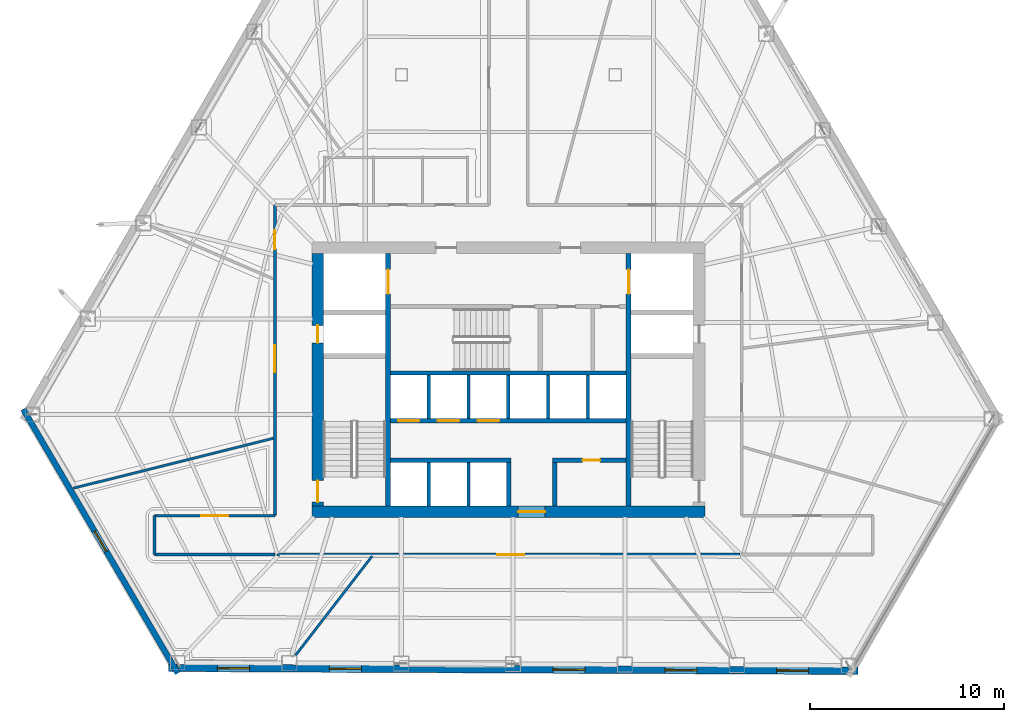
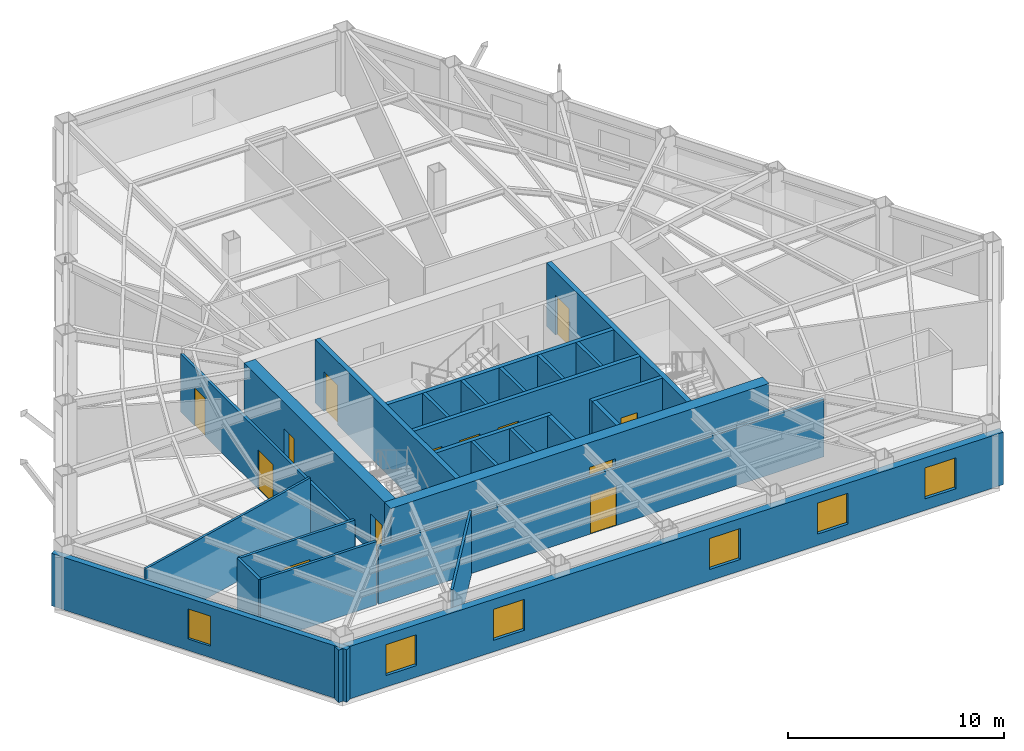
# One storey, part 9 of 14: 26 walls, 13 doors, 6 windows, 19 openings.
"""IFC4 building model written with IfcOpenShell, lengths in metres."""

from ifc_helpers import new_model, si_unit, direction, frame, frame_2d, origin, place, context, subcontext, project, spatial, rectangle, extrude, material, layer, layer_set, type_object, element, fill, save


model = new_model("IFC4")

# Units and contexts
model_context = context("Model", 3, precision=1e-05, world=origin(), true_north=direction((0.0, 1.0)))
body_context = subcontext(model_context, "Body", "Model", "MODEL_VIEW")
ifc_project = project(units=[si_unit("LENGTHUNIT", "METRE"), si_unit("AREAUNIT", "SQUARE_METRE"), si_unit("VOLUMEUNIT", "CUBIC_METRE"), si_unit("PLANEANGLEUNIT", "RADIAN"), si_unit("MASSUNIT", "GRAM", prefix="KILO")], contexts=[model_context])

# Site, building, storey
site_placement = place(None, origin())
site = spatial("IfcSite", under=ifc_project, at=site_placement, CompositionType="ELEMENT")
building_placement = place(site_placement, origin())
building = spatial("IfcBuilding", under=site, at=building_placement, Name="Kavelnor Concourse Tower", CompositionType="ELEMENT")
storey_placement = place(building_placement, frame((0.0, 0.0, 52.199951171875)))
storey = spatial("IfcBuildingStorey", under=building, at=storey_placement, Name="L13", CompositionType="ELEMENT", Elevation=52.199951171875)

# Wall, opening, door
ifc_material_1 = material(Name="Concrete C60/75", Category="concrete")
ifc_layer_1 = layer(ifc_material_1, 0.60009765625, Name="Concrete C60/75")
ifc_layer_set_1 = layer_set([ifc_layer_1], Name="Concrete C60/75")
wall_type_1 = type_object("IfcWallType", Name="WL-CORE-Z1-600", PredefinedType="SOLIDWALL", material=ifc_layer_set_1)
wall_1_placement = place(storey_placement, frame((27.8798828125, 9.300048828125, 0.0), z_axis=(0.0, 0.0, 1.0), x_axis=(1.0, 0.0, 0.0)))
wall_1 = element("IfcWall", 1, at=wall_1_placement, inside=storey, type_object=wall_type_1, Name="L13 Central Core South Shear Wall", PredefinedType="SOLIDWALL", context=body_context, shape_type="SweptSolid", body=[
    extrude(rectangle(XDim=20.240234375, YDim=0.60009765625, at=frame_2d((10.1201171875, 0.0))), origin(), (0.0, 0.0, 1.0), 3.590087890625),
])
opening_1_placement = place(wall_1_placement, frame((10.6201171875, 0.0, 0.0)))
opening_1 = element("IfcOpeningElement", 2, at=opening_1_placement, cuts=wall_1, Name="Opening SD-140", PredefinedType="OPENING", context=body_context, shape_type="SweptSolid", body=[
    extrude(rectangle(XDim=1.39990234375, YDim=2.199951171875, at=frame_2d((0.699951171875, 1.10009765625))), frame((0.0, 0.31005859375, 0.0), z_axis=(0.0, -1.0, 0.0), x_axis=(1.0, 0.0, 0.0)), (0.0, 0.0, 1.0), 0.6201171875),
])
ifc_material_2 = material(Name="Solid-core hardwood timber", Category="wood")
door_type_1 = type_object("IfcDoorType", Name="DR-SUITE-ENTRY-1400", OperationType="NOTDEFINED", PredefinedType="DOOR", material=ifc_material_2)
door_1_placement = place(opening_1_placement, origin())
door_1 = element("IfcDoor", 3, at=door_1_placement, inside=storey, type_object=door_type_1, Name="L13 Passenger Lift Lobby Entry Door", OperationType="SINGLE_SWING_RIGHT", OverallHeight=2.199951171875, OverallWidth=1.39990234375, PredefinedType="DOOR", context=body_context, shape_type="SweptSolid", body=[
    extrude(rectangle(XDim=1.39990234375, YDim=2.199951171875, at=frame_2d((0.699951171875, 1.10009765625))), frame((0.0, 0.02490234375, 0.0), z_axis=(0.0, -1.0, 0.0), x_axis=(1.0, 0.0, 0.0)), (0.0, 0.0, 1.0), 0.050048828125),
])
fill(opening_1, door_1)

# Wall, openings, doors
wall_2_placement = place(storey_placement, frame((28.179931640625, 9.60009765625, 0.0), z_axis=(0.0, 0.0, 1.0), x_axis=(0.0, 1.0, 0.0)))
wall_2 = element("IfcWall", 4, at=wall_2_placement, inside=storey, type_object=wall_type_1, Name="L13 Central Core West Shear Wall", PredefinedType="SOLIDWALL", context=body_context, shape_type="SweptSolid", body=[
    extrude(rectangle(XDim=13.0, YDim=0.60009765625, at=frame_2d((6.5, 0.0))), origin(), (0.0, 0.0, 1.0), 3.590087890625),
])
opening_2_placement = place(wall_2_placement, frame((0.199951171875, 0.0, 0.0)))
opening_2 = element("IfcOpeningElement", 5, at=opening_2_placement, cuts=wall_2, Name="Opening FD-110", PredefinedType="OPENING", context=body_context, shape_type="SweptSolid", body=[
    extrude(rectangle(XDim=1.10009765625, YDim=2.14990234375, at=frame_2d((0.550048828125, 1.074951171875))), frame((0.0, 0.31005859375, 0.0), z_axis=(0.0, -1.0, 0.0), x_axis=(1.0, 0.0, 0.0)), (0.0, 0.0, 1.0), 0.6201171875),
])
opening_3_placement = place(wall_2_placement, frame((8.39990234375, 0.0, 0.0)))
opening_3 = element("IfcOpeningElement", 6, at=opening_3_placement, cuts=wall_2, Name="Opening FD-090", PredefinedType="OPENING", context=body_context, shape_type="SweptSolid", body=[
    extrude(rectangle(XDim=0.89990234375, YDim=2.10009765625, at=frame_2d((0.449951171875, 1.050048828125))), frame((0.0, 0.31005859375, 0.0), z_axis=(0.0, -1.0, 0.0), x_axis=(1.0, 0.0, 0.0)), (0.0, 0.0, 1.0), 0.6201171875),
])
ifc_material_3 = material(Name="Steel Grade 350", Category="steel")
door_type_2 = type_object("IfcDoorType", Name="DR-RISER-FIRE-900", OperationType="NOTDEFINED", PredefinedType="DOOR", material=ifc_material_3)
door_2_placement = place(opening_3_placement, origin())
door_2 = element("IfcDoor", 7, at=door_2_placement, inside=storey, type_object=door_type_2, Name="L13 West Riser Access Door", OperationType="SINGLE_SWING_RIGHT", OverallHeight=2.10009765625, OverallWidth=0.89990234375, PredefinedType="DOOR", context=body_context, shape_type="SweptSolid", body=[
    extrude(rectangle(XDim=0.89990234375, YDim=2.10009765625, at=frame_2d((0.449951171875, 1.050048828125))), frame((0.0, 0.02490234375, 0.0), z_axis=(0.0, -1.0, 0.0), x_axis=(1.0, 0.0, 0.0)), (0.0, 0.0, 1.0), 0.050048828125),
])
fill(opening_3, door_2)
door_type_3 = type_object("IfcDoorType", Name="DR-STAIR-FIRE-1100", OperationType="NOTDEFINED", PredefinedType="DOOR", material=ifc_material_3)
door_3_placement = place(opening_2_placement, origin())
door_3 = element("IfcDoor", 8, at=door_3_placement, inside=storey, type_object=door_type_3, Name="L13 Stair ST1 Fire Door", OperationType="SINGLE_SWING_LEFT", OverallHeight=2.14990234375, OverallWidth=1.10009765625, PredefinedType="DOOR", context=body_context, shape_type="SweptSolid", body=[
    extrude(rectangle(XDim=1.10009765625, YDim=2.14990234375, at=frame_2d((0.550048828125, 1.074951171875))), frame((0.0, 0.02490234375, 0.0), z_axis=(0.0, -1.0, 0.0), x_axis=(1.0, 0.0, 0.0)), (0.0, 0.0, 1.0), 0.050048828125),
])
fill(opening_2, door_3)

# Wall, opening, window
ifc_material_4 = material(Name="Buff ironspot clay face brick masonry", Category="masonry")
ifc_layer_2 = layer(ifc_material_4, 0.300048828125, Name="Buff ironspot clay face brick masonry")
ifc_layer_set_2 = layer_set([ifc_layer_2], Name="Buff ironspot clay face brick masonry")
wall_type_2 = type_object("IfcWallType", Name="WL-EXT-BUFF-BRICK-FOLD-300", PredefinedType="STANDARD", material=ifc_layer_set_2)
wall_3_placement = place(storey_placement, frame((20.97802734375, 0.986083984375, 0.0), z_axis=(0.0, 0.0, 1.0), x_axis=(-0.50510939728, 0.863055326604, 0.0)))
wall_3 = element("IfcWall", 9, at=wall_3_placement, inside=storey, type_object=wall_type_2, Name="L13 Exterior Brick Facade Wall E2", PredefinedType="STANDARD", context=body_context, shape_type="SweptSolid", body=[
    extrude(rectangle(XDim=15.7568359375, YDim=0.300048828125, at=frame_2d((7.87841796875, 0.0))), origin(), (0.0, 0.0, 1.0), 2.969970703125),
])
opening_4_placement = place(wall_3_placement, frame((7.278564453125, 0.0, 0.64990234375)))
opening_4 = element("IfcOpeningElement", 10, at=opening_4_placement, cuts=wall_3, Name="Opening W-05", PredefinedType="OPENING", context=body_context, shape_type="SweptSolid", body=[
    extrude(rectangle(XDim=1.199951171875, YDim=1.699951171875, at=frame_2d((0.60009765625, 0.85009765625))), frame((0.0, 0.16015625, 0.0), z_axis=(0.0, -1.0, 0.0), x_axis=(1.0, 0.0, 0.0)), (0.0, 0.0, 1.0), 0.320068359375),
])
ifc_material_5 = material(Name="Double low-E argon insulated glazing", Category="glass")
window_type_1 = type_object("IfcWindowType", Name="WIN-FOLD-1200", PartitioningType="SINGLE_PANEL", PredefinedType="WINDOW", material=ifc_material_5)
window_1_placement = place(opening_4_placement, origin())
window_1 = element("IfcWindow", 11, at=window_1_placement, inside=storey, type_object=window_type_1, Name="L13 Chamfer-Fold Facet Window C1", OverallHeight=1.699951171875, OverallWidth=1.199951171875, PartitioningType="SINGLE_PANEL", PredefinedType="WINDOW", context=body_context, shape_type="SweptSolid", body=[
    extrude(rectangle(XDim=1.199951171875, YDim=1.699951171875, at=frame_2d((0.60009765625, 0.85009765625))), frame((0.0, 0.030029296875, 0.0), z_axis=(0.0, -1.0, 0.0), x_axis=(1.0, 0.0, 0.0)), (0.0, 0.0, 1.0), 0.06005859375),
])
fill(opening_4, window_1)

# Wall, openings, windows
ifc_material_6 = material(Name="Red-ochre clay face brick masonry", Category="masonry")
ifc_layer_3 = layer(ifc_material_6, 0.3798828125, Name="Red-ochre clay face brick masonry")
ifc_layer_set_3 = layer_set([ifc_layer_3], Name="Red-ochre clay face brick masonry")
wall_type_3 = type_object("IfcWallType", Name="WL-EXT-RED-BRICK-PIER-380", PredefinedType="STANDARD", material=ifc_layer_set_3)
wall_4_placement = place(storey_placement, frame((55.997314453125, 1.110107421875, 0.0), z_axis=(0.0, 0.0, 1.0), x_axis=(-0.999990674144, 0.004318752662, 0.0)))
wall_4 = element("IfcWall", 12, at=wall_4_placement, inside=storey, type_object=wall_type_3, Name="L13 Exterior Brick Facade Wall E3", PredefinedType="STANDARD", context=body_context, shape_type="SweptSolid", body=[
    extrude(rectangle(XDim=35.5009765625, YDim=0.3798828125, at=frame_2d((17.75048828125, 0.0))), origin(), (0.0, 0.0, 1.0), 2.969970703125),
])
opening_5_placement = place(wall_4_placement, frame((31.322998046875, 0.0, 0.64990234375)))
opening_5 = element("IfcOpeningElement", 13, at=opening_5_placement, cuts=wall_4, Name="Opening W-01", PredefinedType="OPENING", context=body_context, shape_type="SweptSolid", body=[
    extrude(rectangle(XDim=1.64990234375, YDim=1.75, at=frame_2d((0.824951171875, 0.875))), frame((0.0, 0.199951171875, 0.0), z_axis=(0.0, -1.0, 0.0), x_axis=(1.0, 0.0, 0.0)), (0.0, 0.0, 1.0), 0.39990234375),
])
opening_6_placement = place(wall_4_placement, frame((25.564697265625, 0.0, 0.64990234375)))
opening_6 = element("IfcOpeningElement", 14, at=opening_6_placement, cuts=wall_4, Name="Opening W-01", PredefinedType="OPENING", context=body_context, shape_type="SweptSolid", body=[
    extrude(rectangle(XDim=1.64990234375, YDim=1.75, at=frame_2d((0.824951171875, 0.875))), frame((0.0, 0.199951171875, 0.0), z_axis=(0.0, -1.0, 0.0), x_axis=(1.0, 0.0, 0.0)), (0.0, 0.0, 1.0), 0.39990234375),
])
opening_7_placement = place(wall_4_placement, frame((14.048583984375, 0.0, 0.64990234375)))
opening_7 = element("IfcOpeningElement", 15, at=opening_7_placement, cuts=wall_4, Name="Opening W-01", PredefinedType="OPENING", context=body_context, shape_type="SweptSolid", body=[
    extrude(rectangle(XDim=1.64990234375, YDim=1.75, at=frame_2d((0.824951171875, 0.875))), frame((0.0, 0.199951171875, 0.0), z_axis=(0.0, -1.0, 0.0), x_axis=(1.0, 0.0, 0.0)), (0.0, 0.0, 1.0), 0.39990234375),
])
opening_8_placement = place(wall_4_placement, frame((8.290283203125, 0.0, 0.64990234375)))
opening_8 = element("IfcOpeningElement", 16, at=opening_8_placement, cuts=wall_4, Name="Opening W-01", PredefinedType="OPENING", context=body_context, shape_type="SweptSolid", body=[
    extrude(rectangle(XDim=1.64990234375, YDim=1.75, at=frame_2d((0.824951171875, 0.875))), frame((0.0, 0.199951171875, 0.0), z_axis=(0.0, -1.0, 0.0), x_axis=(1.0, 0.0, 0.0)), (0.0, 0.0, 1.0), 0.39990234375),
])
opening_9_placement = place(wall_4_placement, frame((2.531982421875, 0.0, 0.64990234375)))
opening_9 = element("IfcOpeningElement", 17, at=opening_9_placement, cuts=wall_4, Name="Opening W-01", PredefinedType="OPENING", context=body_context, shape_type="SweptSolid", body=[
    extrude(rectangle(XDim=1.64990234375, YDim=1.75, at=frame_2d((0.824951171875, 0.875))), frame((0.0, 0.199951171875, 0.0), z_axis=(0.0, -1.0, 0.0), x_axis=(1.0, 0.0, 0.0)), (0.0, 0.0, 1.0), 0.39990234375),
])
window_type_2 = type_object("IfcWindowType", Name="WIN-PIER-Z1-1800", PartitioningType="SINGLE_PANEL", PredefinedType="WINDOW", material=ifc_material_5)
window_2_placement = place(opening_5_placement, origin())
window_2 = element("IfcWindow", 18, at=window_2_placement, inside=storey, type_object=window_type_2, Name="L13 Deep-Set Brick Pier Window F1-B0", OverallHeight=1.75, OverallWidth=1.64990234375, PartitioningType="SINGLE_PANEL", PredefinedType="WINDOW", context=body_context, shape_type="SweptSolid", body=[
    extrude(rectangle(XDim=1.64990234375, YDim=1.75, at=frame_2d((0.824951171875, 0.875))), frame((0.0, 0.030029296875, 0.0), z_axis=(0.0, -1.0, 0.0), x_axis=(1.0, 0.0, 0.0)), (0.0, 0.0, 1.0), 0.06005859375),
])
fill(opening_5, window_2)
window_3_placement = place(opening_6_placement, origin())
window_3 = element("IfcWindow", 19, at=window_3_placement, inside=storey, type_object=window_type_2, Name="L13 Deep-Set Brick Pier Window F1-B1", OverallHeight=1.75, OverallWidth=1.64990234375, PartitioningType="SINGLE_PANEL", PredefinedType="WINDOW", context=body_context, shape_type="SweptSolid", body=[
    extrude(rectangle(XDim=1.64990234375, YDim=1.75, at=frame_2d((0.824951171875, 0.875))), frame((0.0, 0.030029296875, 0.0), z_axis=(0.0, -1.0, 0.0), x_axis=(1.0, 0.0, 0.0)), (0.0, 0.0, 1.0), 0.06005859375),
])
fill(opening_6, window_3)
window_4_placement = place(opening_7_placement, origin())
window_4 = element("IfcWindow", 20, at=window_4_placement, inside=storey, type_object=window_type_2, Name="L13 Deep-Set Brick Pier Window F1-B3", OverallHeight=1.75, OverallWidth=1.64990234375, PartitioningType="SINGLE_PANEL", PredefinedType="WINDOW", context=body_context, shape_type="SweptSolid", body=[
    extrude(rectangle(XDim=1.64990234375, YDim=1.75, at=frame_2d((0.824951171875, 0.875))), frame((0.0, 0.030029296875, 0.0), z_axis=(0.0, -1.0, 0.0), x_axis=(1.0, 0.0, 0.0)), (0.0, 0.0, 1.0), 0.06005859375),
])
fill(opening_7, window_4)
window_5_placement = place(opening_8_placement, origin())
window_5 = element("IfcWindow", 21, at=window_5_placement, inside=storey, type_object=window_type_2, Name="L13 Deep-Set Brick Pier Window F1-B4", OverallHeight=1.75, OverallWidth=1.64990234375, PartitioningType="SINGLE_PANEL", PredefinedType="WINDOW", context=body_context, shape_type="SweptSolid", body=[
    extrude(rectangle(XDim=1.64990234375, YDim=1.75, at=frame_2d((0.824951171875, 0.875))), frame((0.0, 0.030029296875, 0.0), z_axis=(0.0, -1.0, 0.0), x_axis=(1.0, 0.0, 0.0)), (0.0, 0.0, 1.0), 0.06005859375),
])
fill(opening_8, window_5)
window_6_placement = place(opening_9_placement, origin())
window_6 = element("IfcWindow", 22, at=window_6_placement, inside=storey, type_object=window_type_2, Name="L13 Deep-Set Brick Pier Window F1-B5", OverallHeight=1.75, OverallWidth=1.64990234375, PartitioningType="SINGLE_PANEL", PredefinedType="WINDOW", context=body_context, shape_type="SweptSolid", body=[
    extrude(rectangle(XDim=1.64990234375, YDim=1.75, at=frame_2d((0.824951171875, 0.875))), frame((0.0, 0.030029296875, 0.0), z_axis=(0.0, -1.0, 0.0), x_axis=(1.0, 0.0, 0.0)), (0.0, 0.0, 1.0), 0.06005859375),
])
fill(opening_9, window_6)

# Wall, opening, door
ifc_material_7 = material(Name="Gypsum plasterboard on light-gauge steel studs", Category="steel")
ifc_layer_4 = layer(ifc_material_7, 0.14501953125, Name="Gypsum plasterboard on light-gauge steel studs")
ifc_layer_set_4 = layer_set([ifc_layer_4], Name="Gypsum plasterboard on light-gauge steel studs")
wall_type_4 = type_object("IfcWallType", Name="WL-INT-CORR-145", PredefinedType="PARTITIONING", material=ifc_layer_set_4)
wall_5_placement = place(storey_placement, frame((19.77490234375, 9.10009765625, 0.0), z_axis=(0.0, 0.0, 1.0), x_axis=(1.0, 0.0, 0.0)))
wall_5 = element("IfcWall", 23, at=wall_5_placement, inside=storey, type_object=wall_type_4, Name="L13 Corridor Wall WL-L13-CR-01", PredefinedType="PARTITIONING", context=body_context, shape_type="SweptSolid", body=[
    extrude(rectangle(XDim=6.205078125, YDim=0.14501953125, at=frame_2d((3.1025390625, 0.0))), origin(), (0.0, 0.0, 1.0), 3.590087890625),
])
opening_10_placement = place(wall_5_placement, frame((2.402587890625, 0.0, 0.0)))
opening_10 = element("IfcOpeningElement", 24, at=opening_10_placement, cuts=wall_5, Name="Opening SD-140", PredefinedType="OPENING", context=body_context, shape_type="SweptSolid", body=[
    extrude(rectangle(XDim=1.39990234375, YDim=2.199951171875, at=frame_2d((0.699951171875, 1.10009765625))), frame((0.0, 0.08251953125, 0.0), z_axis=(0.0, -1.0, 0.0), x_axis=(1.0, 0.0, 0.0)), (0.0, 0.0, 1.0), 0.1650390625),
])
door_4_placement = place(opening_10_placement, origin())
door_4 = element("IfcDoor", 25, at=door_4_placement, inside=storey, type_object=door_type_1, Name="L13 Technical Reference Library 06 Door", OperationType="SINGLE_SWING_RIGHT", OverallHeight=2.199951171875, OverallWidth=1.39990234375, PredefinedType="DOOR", context=body_context, shape_type="SweptSolid", body=[
    extrude(rectangle(XDim=1.39990234375, YDim=2.199951171875, at=frame_2d((0.699951171875, 1.10009765625))), frame((0.0, 0.02490234375, 0.0), z_axis=(0.0, -1.0, 0.0), x_axis=(1.0, 0.0, 0.0)), (0.0, 0.0, 1.0), 0.050048828125),
])
fill(opening_10, door_4)

# Wall, openings, doors
wall_6_placement = place(storey_placement, frame((25.97998046875, 9.10009765625, 0.0), z_axis=(0.0, 0.0, 1.0), x_axis=(0.0, 1.0, 0.0)))
wall_6 = element("IfcWall", 26, at=wall_6_placement, inside=storey, type_object=wall_type_4, Name="L13 Corridor Wall WL-L13-CR-02", PredefinedType="PARTITIONING", context=body_context, shape_type="SweptSolid", body=[
    extrude(rectangle(XDim=16.0, YDim=0.14501953125, at=frame_2d((8.0, 0.0))), origin(), (0.0, 0.0, 1.0), 3.278076171875),
])
opening_11_placement = place(wall_6_placement, frame((13.7216796875, 0.0, 0.0)))
opening_11 = element("IfcOpeningElement", 27, at=opening_11_placement, cuts=wall_6, Name="Opening OD-098", PredefinedType="OPENING", context=body_context, shape_type="SweptSolid", body=[
    extrude(rectangle(XDim=0.97998046875, YDim=2.14990234375, at=frame_2d((0.489990234375, 1.074951171875))), frame((0.0, 0.08251953125, 0.0), z_axis=(0.0, -1.0, 0.0), x_axis=(1.0, 0.0, 0.0)), (0.0, 0.0, 1.0), 0.1650390625),
])
opening_12_placement = place(wall_6_placement, frame((7.38720703125, 0.0, 0.0)))
opening_12 = element("IfcOpeningElement", 28, at=opening_12_placement, cuts=wall_6, Name="Opening SD-140", PredefinedType="OPENING", context=body_context, shape_type="SweptSolid", body=[
    extrude(rectangle(XDim=1.39990234375, YDim=2.199951171875, at=frame_2d((0.699951171875, 1.10009765625))), frame((0.0, 0.08251953125, 0.0), z_axis=(0.0, -1.0, 0.0), x_axis=(1.0, 0.0, 0.0)), (0.0, 0.0, 1.0), 0.1650390625),
])
door_type_4 = type_object("IfcDoorType", Name="DR-OFFICE-980", OperationType="NOTDEFINED", PredefinedType="DOOR", material=ifc_material_2)
door_5_placement = place(opening_11_placement, origin())
door_5 = element("IfcDoor", 29, at=door_5_placement, inside=storey, type_object=door_type_4, Name="L13 Technical Reference Library 04 Door", OperationType="SINGLE_SWING_RIGHT", OverallHeight=2.14990234375, OverallWidth=0.97998046875, PredefinedType="DOOR", context=body_context, shape_type="SweptSolid", body=[
    extrude(rectangle(XDim=0.97998046875, YDim=2.14990234375, at=frame_2d((0.489990234375, 1.074951171875))), frame((0.0, 0.02490234375, 0.0), z_axis=(0.0, -1.0, 0.0), x_axis=(1.0, 0.0, 0.0)), (0.0, 0.0, 1.0), 0.050048828125),
])
fill(opening_11, door_5)
door_6_placement = place(opening_12_placement, origin())
door_6 = element("IfcDoor", 30, at=door_6_placement, inside=storey, type_object=door_type_1, Name="L13 Technical Reference Library 05 Door", OperationType="SINGLE_SWING_LEFT", OverallHeight=2.199951171875, OverallWidth=1.39990234375, PredefinedType="DOOR", context=body_context, shape_type="SweptSolid", body=[
    extrude(rectangle(XDim=1.39990234375, YDim=2.199951171875, at=frame_2d((0.699951171875, 1.10009765625))), frame((0.0, 0.02490234375, 0.0), z_axis=(0.0, -1.0, 0.0), x_axis=(1.0, 0.0, 0.0)), (0.0, 0.0, 1.0), 0.050048828125),
])
fill(opening_12, door_6)

# Wall, opening, door
wall_7_placement = place(storey_placement, frame((49.919921875, 7.10009765625, 0.0), z_axis=(0.0, 0.0, 1.0), x_axis=(-1.0, 0.0, 0.0)))
wall_7 = element("IfcWall", 31, at=wall_7_placement, inside=storey, type_object=wall_type_4, Name="L13 Corridor Wall WL-L13-CR-12", PredefinedType="PARTITIONING", context=body_context, shape_type="SweptSolid", body=[
    extrude(rectangle(XDim=23.83984375, YDim=0.14501953125, at=frame_2d((11.919921875, 0.0))), origin(), (0.0, 0.0, 1.0), 3.278076171875),
])
opening_13_placement = place(wall_7_placement, frame((11.093505859375, 0.0, 0.0)))
opening_13 = element("IfcOpeningElement", 32, at=opening_13_placement, cuts=wall_7, Name="Opening SD-140", PredefinedType="OPENING", context=body_context, shape_type="SweptSolid", body=[
    extrude(rectangle(XDim=1.39990234375, YDim=2.199951171875, at=frame_2d((0.699951171875, 1.10009765625))), frame((0.0, 0.08251953125, 0.0), z_axis=(0.0, -1.0, 0.0), x_axis=(1.0, 0.0, 0.0)), (0.0, 0.0, 1.0), 0.1650390625),
])
door_7_placement = place(opening_13_placement, origin())
door_7 = element("IfcDoor", 33, at=door_7_placement, inside=storey, type_object=door_type_1, Name="L13 Workplace Open Office 07 Door", OperationType="SINGLE_SWING_LEFT", OverallHeight=2.199951171875, OverallWidth=1.39990234375, PredefinedType="DOOR", context=body_context, shape_type="SweptSolid", body=[
    extrude(rectangle(XDim=1.39990234375, YDim=2.199951171875, at=frame_2d((0.699951171875, 1.10009765625))), frame((0.0, 0.02490234375, 0.0), z_axis=(0.0, -1.0, 0.0), x_axis=(1.0, 0.0, 0.0)), (0.0, 0.0, 1.0), 0.050048828125),
])
fill(opening_13, door_7)

# Walls
wall_8_placement = place(storey_placement, frame((25.97998046875, 7.10009765625, 0.0), z_axis=(0.0, 0.0, 1.0), x_axis=(-1.0, 0.0, 0.0)))
element("IfcWall", 34, at=wall_8_placement, inside=storey, type_object=wall_type_4, Name="L13 Corridor Wall WL-L13-CR-13", PredefinedType="PARTITIONING", context=body_context, shape_type="SweptSolid", body=[
    extrude(rectangle(XDim=6.205078125, YDim=0.14501953125, at=frame_2d((3.1025390625, 0.0))), origin(), (0.0, 0.0, 1.0), 3.590087890625),
])
wall_9_placement = place(storey_placement, frame((19.77490234375, 7.10009765625, 0.0), z_axis=(0.0, 0.0, 1.0), x_axis=(0.0, 1.0, 0.0)))
element("IfcWall", 35, at=wall_9_placement, inside=storey, type_object=wall_type_4, Name="L13 Corridor Wall WL-L13-CR-14", PredefinedType="PARTITIONING", context=body_context, shape_type="SweptSolid", body=[
    extrude(rectangle(XDim=2.0, YDim=0.14501953125, at=frame_2d((1.0, 0.0))), origin(), (0.0, 0.0, 1.0), 3.590087890625),
])
ifc_layer_5 = layer(ifc_material_7, 0.1650390625, Name="Gypsum plasterboard on light-gauge steel studs")
ifc_layer_set_5 = layer_set([ifc_layer_5], Name="Gypsum plasterboard on light-gauge steel studs")
wall_type_5 = type_object("IfcWallType", Name="WL-INT-FIRE-165", PredefinedType="PARTITIONING", material=ifc_layer_set_5)
for number, where, z_axis, x_axis, name in (
    (36, (33.89990234375, 9.60009765625, 0.0), (0.0, 0.0, 1.0), (0.0, 1.0, 0.0), "L13 Lift Shaft Divider LP7"),
    (37, (35.949951171875, 9.60009765625, 0.0), (0.0, 0.0, 1.0), (0.0, 1.0, 0.0), "L13 Lift Shaft Divider LP8"),
    (38, (33.89990234375, 14.10009765625, 0.0), (0.0, 0.0, 1.0), (0.0, 1.0, 0.0), "L13 Lift Shaft Divider LP1"),
    (39, (35.949951171875, 14.10009765625, 0.0), (0.0, 0.0, 1.0), (0.0, 1.0, 0.0), "L13 Lift Shaft Divider LP2"),
    (40, (38.0, 14.10009765625, 0.0), (0.0, 0.0, 1.0), (0.0, 1.0, 0.0), "L13 Lift Shaft Divider LP3"),
    (41, (40.050048828125, 14.10009765625, 0.0), (0.0, 0.0, 1.0), (0.0, 1.0, 0.0), "L13 Lift Shaft Divider LP4"),
    (42, (42.10009765625, 14.10009765625, 0.0), (0.0, 0.0, 1.0), (0.0, 1.0, 0.0), "L13 Lift Shaft Divider LP5"),
):
    element("IfcWall", number, at=place(storey_placement, frame(where, z_axis=z_axis, x_axis=x_axis)), inside=storey, type_object=wall_type_5, Name=name, PredefinedType="PARTITIONING", context=body_context, shape_type="SweptSolid", body=[
        extrude(rectangle(XDim=2.239990234375, YDim=0.1650390625, at=frame_2d((1.1201171875, 0.0))), origin(), (0.0, 0.0, 1.0), 3.590087890625),
    ])
ifc_layer_6 = layer(ifc_material_7, 0.125, Name="Gypsum plasterboard on light-gauge steel studs")
ifc_layer_set_6 = layer_set([ifc_layer_6], Name="Gypsum plasterboard on light-gauge steel studs")
wall_type_6 = type_object("IfcWallType", Name="WL-INT-SUITE-125", PredefinedType="PARTITIONING", material=ifc_layer_set_6)
wall_10_placement = place(storey_placement, frame((25.8994140625, 13.0830078125, 0.0), z_axis=(0.0, 0.0, 1.0), x_axis=(-0.970293892869, -0.241929248874, 0.0)))
element("IfcWall", 43, at=wall_10_placement, inside=storey, type_object=wall_type_6, Name="L13 Radial Suite Partition 06", PredefinedType="PARTITIONING", context=body_context, shape_type="SweptSolid", body=[
    extrude(rectangle(XDim=10.611083984375, YDim=0.125, at=frame_2d((5.3056640625, 0.0))), origin(), (0.0, 0.0, 1.0), 3.590087890625),
])
wall_11_placement = place(storey_placement, frame((30.9873046875, 7.01953125, 0.0), z_axis=(0.0, 0.0, 1.0), x_axis=(-0.61121694186, -0.791463107152, 0.0)))
element("IfcWall", 44, at=wall_11_placement, inside=storey, type_object=wall_type_6, Name="L13 Radial Suite Partition 07", PredefinedType="PARTITIONING", context=body_context, shape_type="SweptSolid", body=[
    extrude(rectangle(XDim=6.449951171875, YDim=0.125, at=frame_2d((3.22509765625, 0.0))), origin(), (0.0, 0.0, 1.0), 3.590087890625),
])
ifc_material_8 = material(Name="Concrete C50/60", Category="concrete")
ifc_layer_7 = layer(ifc_material_8, 0.219970703125, Name="Concrete C50/60")
ifc_layer_set_7 = layer_set([ifc_layer_7], Name="Concrete C50/60")
wall_type_7 = type_object("IfcWallType", Name="WL-SHAFT-220", PredefinedType="SOLIDWALL", material=ifc_layer_set_7)
wall_12_placement = place(storey_placement, frame((31.93994140625, 16.449951171875, 0.0), z_axis=(0.0, 0.0, 1.0), x_axis=(1.0, 0.0, 0.0)))
element("IfcWall", 45, at=wall_12_placement, inside=storey, type_object=wall_type_7, Name="L13 Stair ST3 South Core Wall", PredefinedType="SOLIDWALL", context=body_context, shape_type="SweptSolid", body=[
    extrude(rectangle(XDim=12.1201171875, YDim=0.219970703125, at=frame_2d((6.06005859375, 0.0))), origin(), (0.0, 0.0, 1.0), 3.590087890625),
])

# Wall, openings, doors
wall_13_placement = place(storey_placement, frame((31.93994140625, 13.989990234375, 0.0), z_axis=(0.0, 0.0, 1.0), x_axis=(1.0, 0.0, 0.0)))
wall_13 = element("IfcWall", 46, at=wall_13_placement, inside=storey, type_object=wall_type_7, Name="L13 North Lift Row Shaft Wall", PredefinedType="SOLIDWALL", context=body_context, shape_type="SweptSolid", body=[
    extrude(rectangle(XDim=12.1201171875, YDim=0.219970703125, at=frame_2d((6.06005859375, 0.0))), origin(), (0.0, 0.0, 1.0), 3.590087890625),
])
opening_14_placement = place(wall_13_placement, frame((0.385009765625, 0.0, 0.0)))
opening_14 = element("IfcOpeningElement", 47, at=opening_14_placement, cuts=wall_13, Name="Opening LD-110", PredefinedType="OPENING", context=body_context, shape_type="SweptSolid", body=[
    extrude(rectangle(XDim=1.10009765625, YDim=2.199951171875, at=frame_2d((0.550048828125, 1.10009765625))), frame((0.0, 0.1201171875, 0.0), z_axis=(0.0, -1.0, 0.0), x_axis=(1.0, 0.0, 0.0)), (0.0, 0.0, 1.0), 0.239990234375),
])
opening_15_placement = place(wall_13_placement, frame((2.43505859375, 0.0, 0.0)))
opening_15 = element("IfcOpeningElement", 48, at=opening_15_placement, cuts=wall_13, Name="Opening LD-110", PredefinedType="OPENING", context=body_context, shape_type="SweptSolid", body=[
    extrude(rectangle(XDim=1.10009765625, YDim=2.199951171875, at=frame_2d((0.550048828125, 1.10009765625))), frame((0.0, 0.1201171875, 0.0), z_axis=(0.0, -1.0, 0.0), x_axis=(1.0, 0.0, 0.0)), (0.0, 0.0, 1.0), 0.239990234375),
])
opening_16_placement = place(wall_13_placement, frame((4.485107421875, 0.0, 0.0)))
opening_16 = element("IfcOpeningElement", 49, at=opening_16_placement, cuts=wall_13, Name="Opening LD-110", PredefinedType="OPENING", context=body_context, shape_type="SweptSolid", body=[
    extrude(rectangle(XDim=1.10009765625, YDim=2.199951171875, at=frame_2d((0.550048828125, 1.10009765625))), frame((0.0, 0.1201171875, 0.0), z_axis=(0.0, -1.0, 0.0), x_axis=(1.0, 0.0, 0.0)), (0.0, 0.0, 1.0), 0.239990234375),
])
door_type_5 = type_object("IfcDoorType", Name="DR-LIFT-SLIDING-1100", OperationType="NOTDEFINED", PredefinedType="DOOR", material=ifc_material_3)
door_8_placement = place(opening_14_placement, origin())
door_8 = element("IfcDoor", 50, at=door_8_placement, inside=storey, type_object=door_type_5, Name="L13 Lift LP1 Landing Door", OperationType="DOUBLE_DOOR_SLIDING", OverallHeight=2.199951171875, OverallWidth=1.10009765625, PredefinedType="DOOR", context=body_context, shape_type="SweptSolid", body=[
    extrude(rectangle(XDim=1.10009765625, YDim=2.199951171875, at=frame_2d((0.550048828125, 1.10009765625))), frame((0.0, 0.02490234375, 0.0), z_axis=(0.0, -1.0, 0.0), x_axis=(1.0, 0.0, 0.0)), (0.0, 0.0, 1.0), 0.050048828125),
])
fill(opening_14, door_8)
door_9_placement = place(opening_15_placement, origin())
door_9 = element("IfcDoor", 51, at=door_9_placement, inside=storey, type_object=door_type_5, Name="L13 Lift LP2 Landing Door", OperationType="DOUBLE_DOOR_SLIDING", OverallHeight=2.199951171875, OverallWidth=1.10009765625, PredefinedType="DOOR", context=body_context, shape_type="SweptSolid", body=[
    extrude(rectangle(XDim=1.10009765625, YDim=2.199951171875, at=frame_2d((0.550048828125, 1.10009765625))), frame((0.0, 0.02490234375, 0.0), z_axis=(0.0, -1.0, 0.0), x_axis=(1.0, 0.0, 0.0)), (0.0, 0.0, 1.0), 0.050048828125),
])
fill(opening_15, door_9)
door_10_placement = place(opening_16_placement, origin())
door_10 = element("IfcDoor", 52, at=door_10_placement, inside=storey, type_object=door_type_5, Name="L13 Lift LP3 Landing Door", OperationType="DOUBLE_DOOR_SLIDING", OverallHeight=2.199951171875, OverallWidth=1.10009765625, PredefinedType="DOOR", context=body_context, shape_type="SweptSolid", body=[
    extrude(rectangle(XDim=1.10009765625, YDim=2.199951171875, at=frame_2d((0.550048828125, 1.10009765625))), frame((0.0, 0.02490234375, 0.0), z_axis=(0.0, -1.0, 0.0), x_axis=(1.0, 0.0, 0.0)), (0.0, 0.0, 1.0), 0.050048828125),
])
fill(opening_16, door_10)

# Wall
wall_14_placement = place(storey_placement, frame((31.93994140625, 11.949951171875, 0.0), z_axis=(0.0, 0.0, 1.0), x_axis=(1.0, 0.0, 0.0)))
element("IfcWall", 53, at=wall_14_placement, inside=storey, type_object=wall_type_7, Name="L13 High-Rise Lift Bank North Wall", PredefinedType="SOLIDWALL", context=body_context, shape_type="SweptSolid", body=[
    extrude(rectangle(XDim=6.18994140625, YDim=0.219970703125, at=frame_2d((3.094970703125, 0.0))), origin(), (0.0, 0.0, 1.0), 3.590087890625),
])

# Wall, opening, door
wall_15_placement = place(storey_placement, frame((40.280029296875, 11.949951171875, 0.0), z_axis=(0.0, 0.0, 1.0), x_axis=(1.0, 0.0, 0.0)))
wall_15 = element("IfcWall", 54, at=wall_15_placement, inside=storey, type_object=wall_type_7, Name="L13 Core South Support North Wall", PredefinedType="SOLIDWALL", context=body_context, shape_type="SweptSolid", body=[
    extrude(rectangle(XDim=3.780029296875, YDim=0.219970703125, at=frame_2d((1.89013671875, 0.0))), origin(), (0.0, 0.0, 1.0), 3.590087890625),
])
opening_17_placement = place(wall_15_placement, frame((1.550048828125, 0.0, 0.0)))
opening_17 = element("IfcOpeningElement", 55, at=opening_17_placement, cuts=wall_15, Name="Opening FD-090", PredefinedType="OPENING", context=body_context, shape_type="SweptSolid", body=[
    extrude(rectangle(XDim=0.89990234375, YDim=2.10009765625, at=frame_2d((0.449951171875, 1.050048828125))), frame((0.0, 0.1201171875, 0.0), z_axis=(0.0, -1.0, 0.0), x_axis=(1.0, 0.0, 0.0)), (0.0, 0.0, 1.0), 0.239990234375),
])
door_11_placement = place(opening_17_placement, origin())
door_11 = element("IfcDoor", 56, at=door_11_placement, inside=storey, type_object=door_type_2, Name="L13 Core Utility Store Door", OperationType="SINGLE_SWING_LEFT", OverallHeight=2.10009765625, OverallWidth=0.89990234375, PredefinedType="DOOR", context=body_context, shape_type="SweptSolid", body=[
    extrude(rectangle(XDim=0.89990234375, YDim=2.10009765625, at=frame_2d((0.449951171875, 1.050048828125))), frame((0.0, 0.02490234375, 0.0), z_axis=(0.0, -1.0, 0.0), x_axis=(1.0, 0.0, 0.0)), (0.0, 0.0, 1.0), 0.050048828125),
])
fill(opening_17, door_11)

# Walls
for number, where, z_axis, x_axis, name in (
    (57, (38.02001953125, 9.60009765625, 0.0), (0.0, 0.0, 1.0), (0.0, 1.0, 0.0), "L13 Lift Lobby Throat West Wall"),
    (58, (40.389892578125, 9.60009765625, 0.0), (0.0, 0.0, 1.0), (0.0, 1.0, 0.0), "L13 Lift Lobby Throat East Wall"),
):
    element("IfcWall", number, at=place(storey_placement, frame(where, z_axis=z_axis, x_axis=x_axis)), inside=storey, type_object=wall_type_7, Name=name, PredefinedType="SOLIDWALL", context=body_context, shape_type="SweptSolid", body=[
        extrude(rectangle(XDim=2.239990234375, YDim=0.219970703125, at=frame_2d((1.1201171875, 0.0))), origin(), (0.0, 0.0, 1.0), 3.590087890625),
    ])

# Wall, opening, door
ifc_layer_8 = layer(ifc_material_8, 0.260009765625, Name="Concrete C50/60")
ifc_layer_set_8 = layer_set([ifc_layer_8], Name="Concrete C50/60")
wall_type_8 = type_object("IfcWallType", Name="WL-SHAFT-260", PredefinedType="SHEAR", material=ifc_layer_set_8)
wall_16_placement = place(storey_placement, frame((31.81005859375, 9.60009765625, 0.0), z_axis=(0.0, 0.0, 1.0), x_axis=(0.0, 1.0, 0.0)))
wall_16 = element("IfcWall", 59, at=wall_16_placement, inside=storey, type_object=wall_type_8, Name="L13 Core West Wing Shear Wall", PredefinedType="SHEAR", context=body_context, shape_type="SweptSolid", body=[
    extrude(rectangle(XDim=13.0, YDim=0.260009765625, at=frame_2d((6.5, 0.0))), origin(), (0.0, 0.0, 1.0), 3.590087890625),
])
opening_18_placement = place(wall_16_placement, frame((10.925048828125, 0.0, 0.0)))
opening_18 = element("IfcOpeningElement", 60, at=opening_18_placement, cuts=wall_16, Name="Opening LD-125", PredefinedType="OPENING", context=body_context, shape_type="SweptSolid", body=[
    extrude(rectangle(XDim=1.25, YDim=2.25, at=frame_2d((0.625, 1.125))), frame((0.0, 0.14013671875, 0.0), z_axis=(0.0, -1.0, 0.0), x_axis=(1.0, 0.0, 0.0)), (0.0, 0.0, 1.0), 0.280029296875),
])
door_type_6 = type_object("IfcDoorType", Name="DR-LIFT-SLIDING-1250", OperationType="NOTDEFINED", PredefinedType="DOOR", material=ifc_material_3)
door_12_placement = place(opening_18_placement, origin())
door_12 = element("IfcDoor", 61, at=door_12_placement, inside=storey, type_object=door_type_6, Name="L13 Emergency Lift FL1 Landing Door", OperationType="DOUBLE_DOOR_SLIDING", OverallHeight=2.25, OverallWidth=1.25, PredefinedType="DOOR", context=body_context, shape_type="SweptSolid", body=[
    extrude(rectangle(XDim=1.25, YDim=2.25, at=frame_2d((0.625, 1.125))), frame((0.0, 0.02490234375, 0.0), z_axis=(0.0, -1.0, 0.0), x_axis=(1.0, 0.0, 0.0)), (0.0, 0.0, 1.0), 0.050048828125),
])
fill(opening_18, door_12)

wall_17_placement = place(storey_placement, frame((44.18994140625, 9.60009765625, 0.0), z_axis=(0.0, 0.0, 1.0), x_axis=(0.0, 1.0, 0.0)))
wall_17 = element("IfcWall", 62, at=wall_17_placement, inside=storey, type_object=wall_type_8, Name="L13 Core East Wing Shear Wall", PredefinedType="SHEAR", context=body_context, shape_type="SweptSolid", body=[
    extrude(rectangle(XDim=13.0, YDim=0.260009765625, at=frame_2d((6.5, 0.0))), origin(), (0.0, 0.0, 1.0), 3.590087890625),
])
opening_19_placement = place(wall_17_placement, frame((10.925048828125, 0.0, 0.0)))
opening_19 = element("IfcOpeningElement", 63, at=opening_19_placement, cuts=wall_17, Name="Opening LD-125", PredefinedType="OPENING", context=body_context, shape_type="SweptSolid", body=[
    extrude(rectangle(XDim=1.25, YDim=2.25, at=frame_2d((0.625, 1.125))), frame((0.0, 0.14013671875, 0.0), z_axis=(0.0, -1.0, 0.0), x_axis=(1.0, 0.0, 0.0)), (0.0, 0.0, 1.0), 0.280029296875),
])
door_13_placement = place(opening_19_placement, origin())
door_13 = element("IfcDoor", 64, at=door_13_placement, inside=storey, type_object=door_type_6, Name="L13 Emergency Lift FL2 Landing Door", OperationType="DOUBLE_DOOR_SLIDING", OverallHeight=2.25, OverallWidth=1.25, PredefinedType="DOOR", context=body_context, shape_type="SweptSolid", body=[
    extrude(rectangle(XDim=1.25, YDim=2.25, at=frame_2d((0.625, 1.125))), frame((0.0, 0.02490234375, 0.0), z_axis=(0.0, -1.0, 0.0), x_axis=(1.0, 0.0, 0.0)), (0.0, 0.0, 1.0), 0.050048828125),
])
fill(opening_19, door_13)

save(model, "model.ifc")
